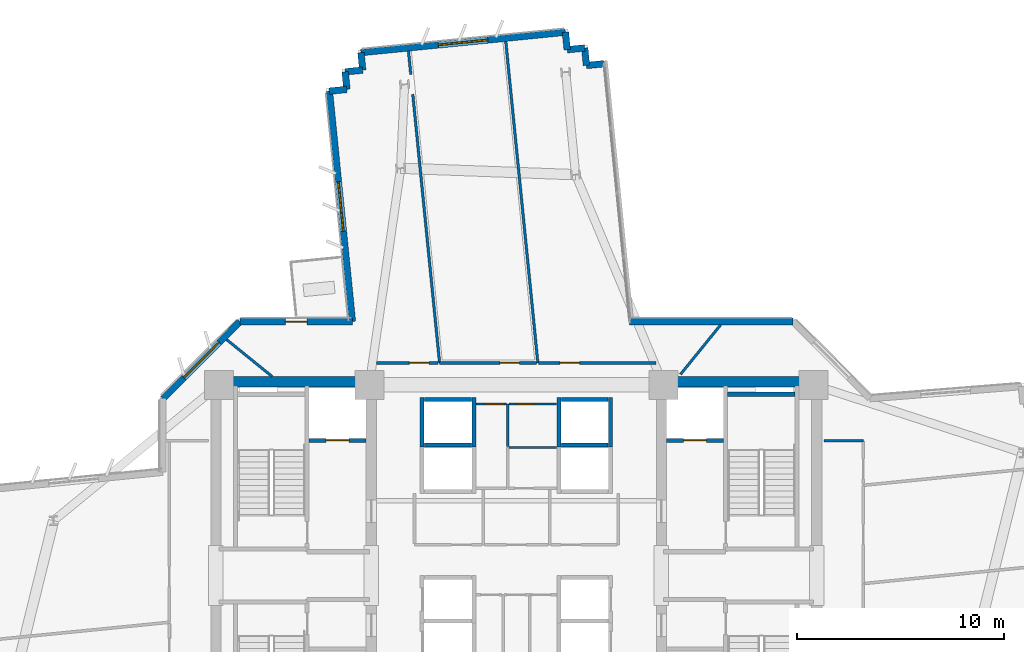
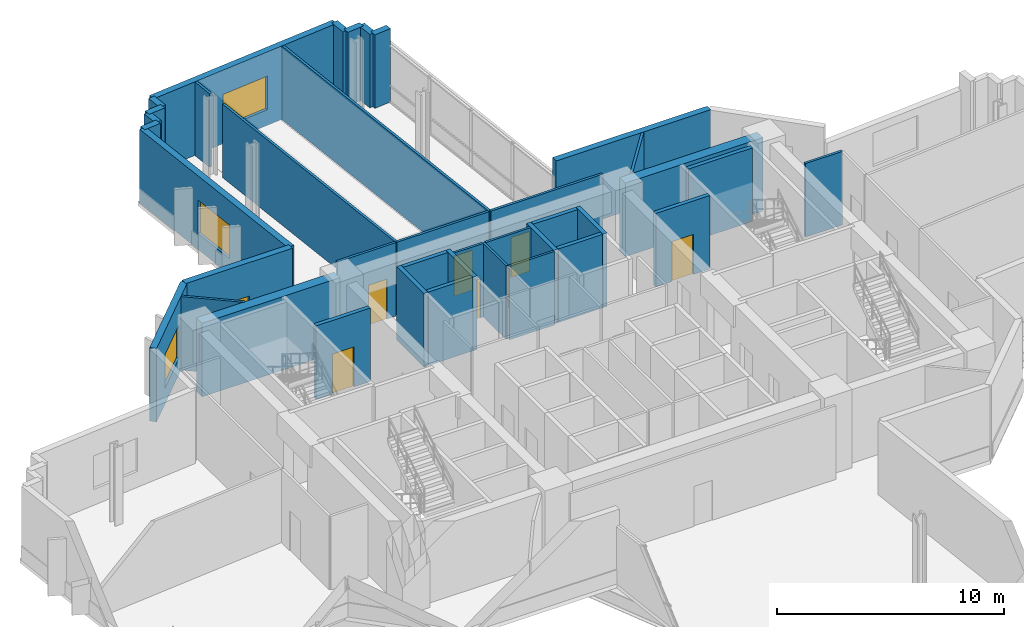
# One storey, part 9 of 14: 39 walls, 8 doors, 3 windows, 11 openings.
"""IFC4 building model written with IfcOpenShell, lengths in metres."""

from ifc_helpers import new_model, si_unit, direction, frame, frame_2d, origin, place, context, subcontext, project, spatial, rectangle, extrude, source, transform, mapped, material, layer, layer_set, type_object, element, fill, save


model = new_model("IFC4")

# Units and contexts
model_context = context("Model", 3, precision=1e-05, world=origin(), true_north=direction((0.0, 1.0)))
body_context = subcontext(model_context, "Body", "Model", "MODEL_VIEW")
ifc_project = project(units=[si_unit("LENGTHUNIT", "METRE"), si_unit("AREAUNIT", "SQUARE_METRE"), si_unit("VOLUMEUNIT", "CUBIC_METRE"), si_unit("PLANEANGLEUNIT", "RADIAN"), si_unit("MASSUNIT", "GRAM", prefix="KILO")], contexts=[model_context])

# Site, building, storey
site_placement = place(None, origin())
site = spatial("IfcSite", under=ifc_project, at=site_placement, CompositionType="ELEMENT")
building_placement = place(site_placement, origin())
building = spatial("IfcBuilding", under=site, at=building_placement, Name="Zahravan Cultural Tower", CompositionType="ELEMENT")
storey_placement = place(building_placement, frame((0.0, 0.0, 96.300048828125)))
storey = spatial("IfcBuildingStorey", under=building, at=storey_placement, Name="L21", CompositionType="ELEMENT", Elevation=96.300048828125)

# Wall, opening, window
ifc_material_1 = material(Name="Precast concrete C40/50", Category="concrete")
ifc_layer_1 = layer(ifc_material_1, 0.320068359375)
ifc_layer_set_1 = layer_set([ifc_layer_1], Name="Precast concrete C40/50")
wall_type_1 = type_object("IfcWallType", Name="EW-TC-320", PredefinedType="SOLIDWALL", material=ifc_layer_set_1)
wall_1_placement = place(storey_placement, frame((18.93994140625, 35.5419921875, 0.0), z_axis=(0.0, 0.0, 1.0), x_axis=(0.707106781187, 0.707106781187, 0.0)))
wall_1 = element("IfcWall", 1, at=wall_1_placement, inside=storey, type_object=wall_type_1, Name="L21 Exterior Masonry Frame Wall 13", PredefinedType="SOLIDWALL", context=body_context, shape_type="SweptSolid", body=[
    extrude(rectangle(XDim=5.258056640625, YDim=0.320068359375, at=frame_2d((2.62890625, 0.0))), origin(), (0.0, 0.0, 1.0), 3.949951171875),
])
opening_1_placement = place(wall_1_placement, frame((1.428955078125, 0.0, 0.85009765625)))
opening_1 = element("IfcOpeningElement", 2, at=opening_1_placement, cuts=wall_1, Name="Opening WN-01", PredefinedType="OPENING", context=body_context, shape_type="SweptSolid", body=[
    extrude(rectangle(XDim=2.39990234375, YDim=1.800048828125, at=frame_2d((1.199951171875, 0.89990234375))), frame((0.0, 0.169921875, 0.0), z_axis=(0.0, -1.0, 0.0), x_axis=(1.0, 0.0, 0.0)), (0.0, 0.0, 1.0), 0.340087890625),
])
ifc_material_2 = material(Name="Low-E solar-control double glazing", Category="glass")
window_type = type_object("IfcWindowType", Name="WN-REC-2400X1800", PartitioningType="DOUBLE_PANEL_VERTICAL", PredefinedType="WINDOW", material=ifc_material_2)
shared_shape_1 = source(origin(), body_context, "Body", "SweptSolid", [
    extrude(rectangle(XDim=2.39990234375, YDim=1.800048828125, at=frame_2d((1.199951171875, 0.89990234375))), frame((0.0, 0.030029296875, 0.0), z_axis=(0.0, -1.0, 0.0), x_axis=(1.0, 0.0, 0.0)), (0.0, 0.0, 1.0), 0.06005859375),
])
window_1_placement = place(opening_1_placement, origin())
window_1 = element("IfcWindow", 3, at=window_1_placement, inside=storey, type_object=window_type, Name="L21 Recessed Solar Window 03", OverallHeight=1.800048828125, OverallWidth=2.39990234375, PartitioningType="DOUBLE_PANEL_VERTICAL", PredefinedType="WINDOW", context=body_context, shape_type="MappedRepresentation", body=[
    mapped(shared_shape_1, transform((0.0, 0.0, 0.0), x_axis=(1.0, 0.0, 0.0), y_axis=(0.0, 1.0, 0.0), z_axis=(0.0, 0.0, 1.0), scale=1.0)),
])
fill(opening_1, window_1)

# Wall, opening, door
wall_2_placement = place(storey_placement, frame((22.657958984375, 39.260009765625, 0.0), z_axis=(0.0, 0.0, 1.0), x_axis=(1.0, 0.0, 0.0)))
wall_2 = element("IfcWall", 4, at=wall_2_placement, inside=storey, type_object=wall_type_1, Name="L21 Exterior Masonry Frame Wall 14", PredefinedType="SOLIDWALL", context=body_context, shape_type="SweptSolid", body=[
    extrude(rectangle(XDim=5.42529296875, YDim=0.320068359375, at=frame_2d((2.712646484375, 0.0))), origin(), (0.0, 0.0, 1.0), 3.949951171875),
])
opening_2_placement = place(wall_2_placement, frame((2.18798828125, 0.0, 0.0)))
opening_2 = element("IfcOpeningElement", 5, at=opening_2_placement, cuts=wall_2, Name="Opening D-L21-TR-NW", PredefinedType="OPENING", context=body_context, shape_type="SweptSolid", body=[
    extrude(rectangle(XDim=1.050048828125, YDim=2.14990234375, at=frame_2d((0.52490234375, 1.074951171875))), frame((0.0, 0.169921875, 0.0), z_axis=(0.0, -1.0, 0.0), x_axis=(1.0, 0.0, 0.0)), (0.0, 0.0, 1.0), 0.340087890625),
])
ifc_material_3 = material(Name="Anodised bronze-aluminium mullion", Category="aluminium")
door_type_1 = type_object("IfcDoorType", Name="DR-TERR-1050", OperationType="NOTDEFINED", PredefinedType="DOOR", material=ifc_material_3)
shared_shape_2 = source(origin(), body_context, "Body", "SweptSolid", [
    extrude(rectangle(XDim=1.050048828125, YDim=2.14990234375, at=frame_2d((0.52490234375, 1.074951171875))), frame((0.0, 0.02490234375, 0.0), z_axis=(0.0, -1.0, 0.0), x_axis=(1.0, 0.0, 0.0)), (0.0, 0.0, 1.0), 0.050048828125),
])
door_1_placement = place(opening_2_placement, origin())
door_1 = element("IfcDoor", 6, at=door_1_placement, inside=storey, type_object=door_type_1, Name="L21 Terrace Access Door NW", OperationType="SINGLE_SWING_RIGHT", OverallHeight=2.14990234375, OverallWidth=1.050048828125, PredefinedType="DOOR", context=body_context, shape_type="MappedRepresentation", body=[
    mapped(shared_shape_2, transform((0.0, 0.0, 0.0), x_axis=(1.0, 0.0, 0.0), y_axis=(0.0, 1.0, 0.0), z_axis=(0.0, 0.0, 1.0), scale=1.0)),
])
fill(opening_2, door_1)

# Wall, opening, window
wall_3_placement = place(storey_placement, frame((28.083251953125, 39.260009765625, 0.0), z_axis=(0.0, 0.0, 1.0), x_axis=(-0.099322009391, 0.995055344416, 0.0)))
wall_3 = element("IfcWall", 7, at=wall_3_placement, inside=storey, type_object=wall_type_1, Name="L21 Exterior Masonry Frame Wall 15", PredefinedType="SOLIDWALL", context=body_context, shape_type="SweptSolid", body=[
    extrude(rectangle(XDim=11.17431640625, YDim=0.320068359375, at=frame_2d((5.587158203125, 0.0))), origin(), (0.0, 0.0, 1.0), 3.949951171875),
])
opening_3_placement = place(wall_3_placement, frame((4.386962890625, 0.0, 0.85009765625)))
opening_3 = element("IfcOpeningElement", 8, at=opening_3_placement, cuts=wall_3, Name="Opening WN-01", PredefinedType="OPENING", context=body_context, shape_type="SweptSolid", body=[
    extrude(rectangle(XDim=2.39990234375, YDim=1.800048828125, at=frame_2d((1.199951171875, 0.89990234375))), frame((0.0, 0.169921875, 0.0), z_axis=(0.0, -1.0, 0.0), x_axis=(1.0, 0.0, 0.0)), (0.0, 0.0, 1.0), 0.340087890625),
])
window_2_placement = place(opening_3_placement, origin())
window_2 = element("IfcWindow", 9, at=window_2_placement, inside=storey, type_object=window_type, Name="L21 Recessed Solar Window 04", OverallHeight=1.800048828125, OverallWidth=2.39990234375, PartitioningType="DOUBLE_PANEL_VERTICAL", PredefinedType="WINDOW", context=body_context, shape_type="MappedRepresentation", body=[
    mapped(shared_shape_1, transform((0.0, 0.0, 0.0), x_axis=(1.0, 0.0, 0.0), y_axis=(0.0, 1.0, 0.0), z_axis=(0.0, 0.0, 1.0), scale=1.0)),
])
fill(opening_3, window_2)

wall_4_placement = place(storey_placement, frame((28.49609375, 52.239501953125, 0.0), z_axis=(0.0, 0.0, 1.0), x_axis=(0.995054718915, 0.09932827576, 0.0)))
wall_4 = element("IfcWall", 10, at=wall_4_placement, inside=storey, type_object=wall_type_1, Name="L21 Exterior Masonry Frame Wall 20", PredefinedType="SOLIDWALL", context=body_context, shape_type="SweptSolid", body=[
    extrude(rectangle(XDim=9.920166015625, YDim=0.320068359375, at=frame_2d((4.9599609375, 0.0))), origin(), (0.0, 0.0, 1.0), 3.949951171875),
])
opening_4_placement = place(wall_4_placement, frame((3.760009765625, 0.0, 0.85009765625)))
opening_4 = element("IfcOpeningElement", 11, at=opening_4_placement, cuts=wall_4, Name="Opening WN-01", PredefinedType="OPENING", context=body_context, shape_type="SweptSolid", body=[
    extrude(rectangle(XDim=2.39990234375, YDim=1.800048828125, at=frame_2d((1.199951171875, 0.89990234375))), frame((0.0, 0.169921875, 0.0), z_axis=(0.0, -1.0, 0.0), x_axis=(1.0, 0.0, 0.0)), (0.0, 0.0, 1.0), 0.340087890625),
])
window_3_placement = place(opening_4_placement, origin())
window_3 = element("IfcWindow", 12, at=window_3_placement, inside=storey, type_object=window_type, Name="L21 Recessed Solar Window 05", OverallHeight=1.800048828125, OverallWidth=2.39990234375, PartitioningType="DOUBLE_PANEL_VERTICAL", PredefinedType="WINDOW", context=body_context, shape_type="MappedRepresentation", body=[
    mapped(shared_shape_1, transform((0.0, 0.0, 0.0), x_axis=(1.0, 0.0, 0.0), y_axis=(0.0, 1.0, 0.0), z_axis=(0.0, 0.0, 1.0), scale=1.0)),
])
fill(opening_4, window_3)

# Wall, opening, door
ifc_material_4 = material(Name="Gypsum plasterboard partition")
ifc_layer_2 = layer(ifc_material_4, 0.125)
ifc_layer_set_2 = layer_set([ifc_layer_2], Name="Gypsum plasterboard partition")
wall_type_2 = type_object("IfcWallType", Name="W-PART-125", PredefinedType="PARTITIONING", material=ifc_layer_set_2)
wall_5_placement = place(storey_placement, frame((36.96826171875, 37.260009765625, 0.0), z_axis=(0.0, 0.0, 1.0), x_axis=(-1.0, 0.0, 0.0)))
wall_5 = element("IfcWall", 13, at=wall_5_placement, inside=storey, type_object=wall_type_2, Name="L21 Interior Wall 101", PredefinedType="PARTITIONING", context=body_context, shape_type="SweptSolid", body=[
    extrude(rectangle(XDim=4.675537109375, YDim=0.125, at=frame_2d((2.337890625, 0.0))), origin(), (0.0, 0.0, 1.0), 3.949951171875),
])
opening_5_placement = place(wall_5_placement, frame((0.819580078125, 0.0, 0.0)))
opening_5 = element("IfcOpeningElement", 14, at=opening_5_placement, cuts=wall_5, Name="Opening D-L21-25", PredefinedType="OPENING", context=body_context, shape_type="SweptSolid", body=[
    extrude(rectangle(XDim=0.949951171875, YDim=2.14990234375, at=frame_2d((0.47509765625, 1.074951171875))), frame((0.0, 0.072509765625, 0.0), z_axis=(0.0, -1.0, 0.0), x_axis=(1.0, 0.0, 0.0)), (0.0, 0.0, 1.0), 0.14501953125),
])
door_type_2 = type_object("IfcDoorType", Name="DR-ROOM-950", OperationType="NOTDEFINED", PredefinedType="DOOR", material=ifc_material_3)
shared_shape_3 = source(origin(), body_context, "Body", "SweptSolid", [
    extrude(rectangle(XDim=0.949951171875, YDim=2.14990234375, at=frame_2d((0.47509765625, 1.074951171875))), frame((0.0, 0.02490234375, 0.0), z_axis=(0.0, -1.0, 0.0), x_axis=(1.0, 0.0, 0.0)), (0.0, 0.0, 1.0), 0.050048828125),
])
door_2_placement = place(opening_5_placement, origin())
door_2 = element("IfcDoor", 15, at=door_2_placement, inside=storey, type_object=door_type_2, Name="L21 Door D-L21-25", OperationType="SINGLE_SWING_RIGHT", OverallHeight=2.14990234375, OverallWidth=0.949951171875, PredefinedType="DOOR", context=body_context, shape_type="MappedRepresentation", body=[
    mapped(shared_shape_3, transform((0.0, 0.0, 0.0), x_axis=(1.0, 0.0, 0.0), y_axis=(0.0, 1.0, 0.0), z_axis=(0.0, 0.0, 1.0), scale=1.0)),
])
fill(opening_5, door_2)

wall_6_placement = place(storey_placement, frame((32.224853515625, 37.260009765625, 0.0), z_axis=(0.0, 0.0, 1.0), x_axis=(-0.999999915533, -0.000411015173, 0.0)))
wall_6 = element("IfcWall", 16, at=wall_6_placement, inside=storey, type_object=wall_type_2, Name="L21 Interior Wall 104", PredefinedType="PARTITIONING", context=body_context, shape_type="SweptSolid", body=[
    extrude(rectangle(XDim=2.969970703125, YDim=0.125, at=frame_2d((1.48486328125, 0.0))), origin(), (0.0, 0.0, 1.0), 3.949951171875),
])
opening_6_placement = place(wall_6_placement, frame((0.4443359375, 0.0, 0.0)))
opening_6 = element("IfcOpeningElement", 17, at=opening_6_placement, cuts=wall_6, Name="Opening D-L21-26", PredefinedType="OPENING", context=body_context, shape_type="SweptSolid", body=[
    extrude(rectangle(XDim=0.949951171875, YDim=2.14990234375, at=frame_2d((0.47509765625, 1.074951171875))), frame((0.0, 0.072509765625, 0.0), z_axis=(0.0, -1.0, 0.0), x_axis=(1.0, 0.0, 0.0)), (0.0, 0.0, 1.0), 0.14501953125),
])
door_3_placement = place(opening_6_placement, origin())
door_3 = element("IfcDoor", 18, at=door_3_placement, inside=storey, type_object=door_type_2, Name="L21 Door D-L21-26", OperationType="SINGLE_SWING_LEFT", OverallHeight=2.14990234375, OverallWidth=0.949951171875, PredefinedType="DOOR", context=body_context, shape_type="MappedRepresentation", body=[
    mapped(shared_shape_3, transform((0.0, 0.0, 0.0), x_axis=(1.0, 0.0, 0.0), y_axis=(0.0, 1.0, 0.0), z_axis=(0.0, 0.0, 1.0), scale=1.0)),
])
fill(opening_6, door_3)

wall_7_placement = place(storey_placement, frame((42.742431640625, 37.259765625, 0.0), z_axis=(0.0, 0.0, 1.0), x_axis=(-0.999999999078, 4.2935039e-05, 0.0)))
wall_7 = element("IfcWall", 19, at=wall_7_placement, inside=storey, type_object=wall_type_2, Name="L21 Interior Wall 110", PredefinedType="PARTITIONING", context=body_context, shape_type="SweptSolid", body=[
    extrude(rectangle(XDim=5.686279296875, YDim=0.125, at=frame_2d((2.84326171875, 0.0))), origin(), (0.0, 0.0, 1.0), 3.949951171875),
])
opening_7_placement = place(wall_7_placement, frame((3.694091796875, 0.0, 0.0)))
opening_7 = element("IfcOpeningElement", 20, at=opening_7_placement, cuts=wall_7, Name="Opening D-L21-24", PredefinedType="OPENING", context=body_context, shape_type="SweptSolid", body=[
    extrude(rectangle(XDim=0.949951171875, YDim=2.14990234375, at=frame_2d((0.47509765625, 1.074951171875))), frame((0.0, 0.072509765625, 0.0), z_axis=(0.0, -1.0, 0.0), x_axis=(1.0, 0.0, 0.0)), (0.0, 0.0, 1.0), 0.14501953125),
])
door_4_placement = place(opening_7_placement, origin())
door_4 = element("IfcDoor", 21, at=door_4_placement, inside=storey, type_object=door_type_2, Name="L21 Door D-L21-24", OperationType="SINGLE_SWING_LEFT", OverallHeight=2.14990234375, OverallWidth=0.949951171875, PredefinedType="DOOR", context=body_context, shape_type="MappedRepresentation", body=[
    mapped(shared_shape_3, transform((0.0, 0.0, 0.0), x_axis=(1.0, 0.0, 0.0), y_axis=(0.0, 1.0, 0.0), z_axis=(0.0, 0.0, 1.0), scale=1.0)),
])
fill(opening_7, door_4)

ifc_material_5 = material(Name="Concrete C45/55", Category="concrete")
ifc_layer_3 = layer(ifc_material_5, 0.199951171875)
ifc_layer_set_3 = layer_set([ifc_layer_3], Name="Concrete C45/55")
wall_type_3 = type_object("IfcWallType", Name="W-SHAFT-200", PredefinedType="SOLIDWALL", material=ifc_layer_set_3)
wall_8_placement = place(storey_placement, frame((26.0, 33.52001953125, 0.0), z_axis=(0.0, 0.0, 1.0), x_axis=(1.0, 0.0, 0.0)))
wall_8 = element("IfcWall", 22, at=wall_8_placement, inside=storey, type_object=wall_type_3, Name="L21 Interior Wall 021", PredefinedType="SOLIDWALL", context=body_context, shape_type="SweptSolid", body=[
    extrude(rectangle(XDim=2.75, YDim=0.199951171875, at=frame_2d((1.375, 0.0))), origin(), (0.0, 0.0, 1.0), 3.949951171875),
])
opening_8_placement = place(wall_8_placement, frame((0.820068359375, 0.0, 0.0)))
opening_8 = element("IfcOpeningElement", 23, at=opening_8_placement, cuts=wall_8, Name="Opening LD-L21-01", PredefinedType="OPENING", context=body_context, shape_type="SweptSolid", body=[
    extrude(rectangle(XDim=1.10009765625, YDim=2.14990234375, at=frame_2d((0.550048828125, 1.074951171875))), frame((0.0, 0.10986328125, 0.0), z_axis=(0.0, -1.0, 0.0), x_axis=(1.0, 0.0, 0.0)), (0.0, 0.0, 1.0), 0.219970703125),
])
ifc_material_6 = material(Name="Steel ASTM A572 Grade 50", Category="steel")
door_type_3 = type_object("IfcDoorType", Name="DR-LIFT-1100", OperationType="DOUBLE_DOOR_SLIDING", PredefinedType="DOOR", material=ifc_material_6)
shared_shape_4 = source(origin(), body_context, "Body", "SweptSolid", [
    extrude(rectangle(XDim=1.10009765625, YDim=2.14990234375, at=frame_2d((0.550048828125, 1.074951171875))), frame((0.0, 0.02490234375, 0.0), z_axis=(0.0, -1.0, 0.0), x_axis=(1.0, 0.0, 0.0)), (0.0, 0.0, 1.0), 0.050048828125),
])
door_5_placement = place(opening_8_placement, origin())
door_5 = element("IfcDoor", 24, at=door_5_placement, inside=storey, type_object=door_type_3, Name="L21 Door LD-L21-01", OperationType="DOUBLE_DOOR_SLIDING", OverallHeight=2.14990234375, OverallWidth=1.10009765625, PredefinedType="DOOR", context=body_context, shape_type="MappedRepresentation", body=[
    mapped(shared_shape_4, transform((0.0, 0.0, 0.0), x_axis=(1.0, 0.0, 0.0), y_axis=(0.0, 1.0, 0.0), z_axis=(0.0, 0.0, 1.0), scale=1.0)),
])
fill(opening_8, door_5)

wall_9_placement = place(storey_placement, frame((43.25, 33.52001953125, 0.0), z_axis=(0.0, 0.0, 1.0), x_axis=(1.0, 0.0, 0.0)))
wall_9 = element("IfcWall", 25, at=wall_9_placement, inside=storey, type_object=wall_type_3, Name="L21 Interior Wall 022", PredefinedType="SOLIDWALL", context=body_context, shape_type="SweptSolid", body=[
    extrude(rectangle(XDim=2.75, YDim=0.199951171875, at=frame_2d((1.375, 0.0))), origin(), (0.0, 0.0, 1.0), 3.949951171875),
])
opening_9_placement = place(wall_9_placement, frame((0.820068359375, 0.0, 0.0)))
opening_9 = element("IfcOpeningElement", 26, at=opening_9_placement, cuts=wall_9, Name="Opening LD-L21-02", PredefinedType="OPENING", context=body_context, shape_type="SweptSolid", body=[
    extrude(rectangle(XDim=1.10009765625, YDim=2.14990234375, at=frame_2d((0.550048828125, 1.074951171875))), frame((0.0, 0.10986328125, 0.0), z_axis=(0.0, -1.0, 0.0), x_axis=(1.0, 0.0, 0.0)), (0.0, 0.0, 1.0), 0.219970703125),
])
door_6_placement = place(opening_9_placement, origin())
door_6 = element("IfcDoor", 27, at=door_6_placement, inside=storey, type_object=door_type_3, Name="L21 Door LD-L21-02", OperationType="DOUBLE_DOOR_SLIDING", OverallHeight=2.14990234375, OverallWidth=1.10009765625, PredefinedType="DOOR", context=body_context, shape_type="MappedRepresentation", body=[
    mapped(shared_shape_4, transform((0.0, 0.0, 0.0), x_axis=(1.0, 0.0, 0.0), y_axis=(0.0, 1.0, 0.0), z_axis=(0.0, 0.0, 1.0), scale=1.0)),
])
fill(opening_9, door_6)

ifc_layer_4 = layer(ifc_material_4, 0.114990234375)
ifc_layer_set_4 = layer_set([ifc_layer_4], Name="Gypsum plasterboard partition")
wall_type_4 = type_object("IfcWallType", Name="W-WC-115", PredefinedType="PARTITIONING", material=ifc_layer_set_4)
wall_10_placement = place(storey_placement, frame((35.652587890625, 35.280029296875, 0.0), z_axis=(0.0, 0.0, 1.0), x_axis=(1.0, 0.0, 0.0)))
wall_10 = element("IfcWall", 28, at=wall_10_placement, inside=storey, type_object=wall_type_4, Name="L21 Interior Wall 073", PredefinedType="PARTITIONING", context=body_context, shape_type="SweptSolid", body=[
    extrude(rectangle(XDim=2.29248046875, YDim=0.114990234375, at=frame_2d((1.146240234375, 0.0))), origin(), (0.0, 0.0, 1.0), 3.949951171875),
])
opening_10_placement = place(wall_10_placement, frame((0.3203125, 0.0, 0.0)))
opening_10 = element("IfcOpeningElement", 29, at=opening_10_placement, cuts=wall_10, Name="Opening D-L21-14", PredefinedType="OPENING", context=body_context, shape_type="SweptSolid", body=[
    extrude(rectangle(XDim=0.89990234375, YDim=2.10009765625, at=frame_2d((0.449951171875, 1.050048828125))), frame((0.0, 0.0673828125, 0.0), z_axis=(0.0, -1.0, 0.0), x_axis=(1.0, 0.0, 0.0)), (0.0, 0.0, 1.0), 0.135009765625),
])
door_type_4 = type_object("IfcDoorType", Name="DR-WC-900", OperationType="NOTDEFINED", PredefinedType="DOOR", material=ifc_material_3)
shared_shape_5 = source(origin(), body_context, "Body", "SweptSolid", [
    extrude(rectangle(XDim=0.89990234375, YDim=2.10009765625, at=frame_2d((0.449951171875, 1.050048828125))), frame((0.0, 0.02490234375, 0.0), z_axis=(0.0, -1.0, 0.0), x_axis=(1.0, 0.0, 0.0)), (0.0, 0.0, 1.0), 0.050048828125),
])
door_7_placement = place(opening_10_placement, origin())
door_7 = element("IfcDoor", 30, at=door_7_placement, inside=storey, type_object=door_type_4, Name="L21 Door D-L21-14", OperationType="SINGLE_SWING_LEFT", OverallHeight=2.10009765625, OverallWidth=0.89990234375, PredefinedType="DOOR", context=body_context, shape_type="MappedRepresentation", body=[
    mapped(shared_shape_5, transform((0.0, 0.0, 0.0), x_axis=(1.0, 0.0, 0.0), y_axis=(0.0, 1.0, 0.0), z_axis=(0.0, 0.0, 1.0), scale=1.0)),
])
fill(opening_10, door_7)

wall_11_placement = place(storey_placement, frame((34.054931640625, 35.280029296875, 0.0), z_axis=(0.0, 0.0, 1.0), x_axis=(1.0, 0.0, 0.0)))
wall_11 = element("IfcWall", 31, at=wall_11_placement, inside=storey, type_object=wall_type_4, Name="L21 Interior Wall 075", PredefinedType="PARTITIONING", context=body_context, shape_type="SweptSolid", body=[
    extrude(rectangle(XDim=1.47265625, YDim=0.114990234375, at=frame_2d((0.736328125, 0.0))), origin(), (0.0, 0.0, 1.0), 3.949951171875),
])
opening_11_placement = place(wall_11_placement, frame((0.4326171875, 0.0, 0.0)))
opening_11 = element("IfcOpeningElement", 32, at=opening_11_placement, cuts=wall_11, Name="Opening D-L21-13", PredefinedType="OPENING", context=body_context, shape_type="SweptSolid", body=[
    extrude(rectangle(XDim=0.89990234375, YDim=2.10009765625, at=frame_2d((0.449951171875, 1.050048828125))), frame((0.0, 0.0673828125, 0.0), z_axis=(0.0, -1.0, 0.0), x_axis=(1.0, 0.0, 0.0)), (0.0, 0.0, 1.0), 0.135009765625),
])
door_8_placement = place(opening_11_placement, origin())
door_8 = element("IfcDoor", 33, at=door_8_placement, inside=storey, type_object=door_type_4, Name="L21 Door D-L21-13", OperationType="SINGLE_SWING_RIGHT", OverallHeight=2.10009765625, OverallWidth=0.89990234375, PredefinedType="DOOR", context=body_context, shape_type="MappedRepresentation", body=[
    mapped(shared_shape_5, transform((0.0, 0.0, 0.0), x_axis=(1.0, 0.0, 0.0), y_axis=(0.0, 1.0, 0.0), z_axis=(0.0, 0.0, 1.0), scale=1.0)),
])
fill(opening_11, door_8)

# Walls
ifc_material_7 = material(Name="Concrete C60/75", Category="concrete")
ifc_layer_5 = layer(ifc_material_7, 0.5)
ifc_layer_set_5 = layer_set([ifc_layer_5], Name="Concrete C60/75")
wall_type_5 = type_object("IfcWallType", Name="CW-SHEAR-500-C60", PredefinedType="SHEAR", material=ifc_layer_set_5)
shared_shape_6 = source(origin(), body_context, "Body", "SweptSolid", [
    extrude(rectangle(XDim=7.0, YDim=0.5, at=frame_2d((3.5, 0.0))), origin(), (0.0, 0.0, 1.0), 3.949951171875),
])
for number, where, z_axis, x_axis, name in (
    (34, (21.75, 36.35009765625, 0.0), (0.0, 0.0, 1.0), (1.0, 0.0, 0.0), "L21 Core Shear Wall CW-W-N-L21"),
    (35, (43.25, 36.35009765625, 0.0), (0.0, 0.0, 1.0), (1.0, 0.0, 0.0), "L21 Core Shear Wall CW-E-N-L21"),
):
    element("IfcWall", number, at=place(storey_placement, frame(where, z_axis=z_axis, x_axis=x_axis)), inside=storey, type_object=wall_type_5, Name=name, PredefinedType="SHEAR", context=body_context, shape_type="MappedRepresentation", body=[
        mapped(shared_shape_6, transform((0.0, 0.0, 0.0), x_axis=(1.0, 0.0, 0.0), y_axis=(0.0, 1.0, 0.0), z_axis=(0.0, 0.0, 1.0), scale=1.0)),
    ])
shared_shape_7 = source(origin(), body_context, "Body", "SweptSolid", [
    extrude(rectangle(XDim=0.849853515625, YDim=0.320068359375, at=frame_2d((0.4248046875, 0.0))), origin(), (0.0, 0.0, 1.0), 3.949951171875),
])
for number, where, z_axis, x_axis, name in (
    (36, (26.973388671875, 50.379150390625, 0.0), (0.0, 0.0, 1.0), (0.995076929088, 0.099105525559, 0.0), "L21 Exterior Masonry Frame Wall 16"),
    (37, (28.58056640625, 51.393798828125, 0.0), (0.0, 0.0, 1.0), (-0.09938995433, 0.995048560111, 0.0), "L21 Exterior Masonry Frame Wall 19"),
    (38, (39.29736328125, 52.46337890625, 0.0), (0.0, 0.0, 1.0), (0.099105525559, -0.995076929088, 0.0), "L21 Exterior Masonry Frame Wall 23"),
):
    element("IfcWall", number, at=place(storey_placement, frame(where, z_axis=z_axis, x_axis=x_axis)), inside=storey, type_object=wall_type_1, Name=name, PredefinedType="SOLIDWALL", context=body_context, shape_type="MappedRepresentation", body=[
        mapped(shared_shape_7, transform((0.0, 0.0, 0.0), x_axis=(1.0, 0.0, 0.0), y_axis=(0.0, 1.0, 0.0), z_axis=(0.0, 0.0, 1.0), scale=1.0)),
    ])
shared_shape_8 = source(origin(), body_context, "Body", "SweptSolid", [
    extrude(rectangle(XDim=0.85009765625, YDim=0.320068359375, at=frame_2d((0.425048828125, 0.0))), origin(), (0.0, 0.0, 1.0), 3.949951171875),
])
for number, where, z_axis, x_axis, name in (
    (39, (27.819091796875, 50.46337890625, 0.0), (0.0, 0.0, 1.0), (-0.099361553589, 0.995051396496, 0.0), "L21 Exterior Masonry Frame Wall 17"),
    (40, (27.734619140625, 51.309326171875, 0.0), (0.0, 0.0, 1.0), (0.995051396496, 0.099361553589, 0.0), "L21 Exterior Masonry Frame Wall 18"),
    (41, (38.3671875, 53.224853515625, 0.0), (0.0, 0.0, 1.0), (0.09907720448, -0.995079749343, 0.0), "L21 Exterior Masonry Frame Wall 21"),
    (42, (38.451416015625, 52.37890625, 0.0), (0.0, 0.0, 1.0), (0.995051396496, 0.099361553589, 0.0), "L21 Exterior Masonry Frame Wall 22"),
    (43, (39.381591796875, 51.61767578125, 0.0), (0.0, 0.0, 1.0), (0.995079749343, 0.09907720448, 0.0), "L21 Exterior Masonry Frame Wall 24"),
):
    element("IfcWall", number, at=place(storey_placement, frame(where, z_axis=z_axis, x_axis=x_axis)), inside=storey, type_object=wall_type_1, Name=name, PredefinedType="SOLIDWALL", context=body_context, shape_type="MappedRepresentation", body=[
        mapped(shared_shape_8, transform((0.0, 0.0, 0.0), x_axis=(1.0, 0.0, 0.0), y_axis=(0.0, 1.0, 0.0), z_axis=(0.0, 0.0, 1.0), scale=1.0)),
    ])
shared_shape_9 = source(origin(), body_context, "Body", "SweptSolid", [
    extrude(rectangle(XDim=7.87255859375, YDim=0.320068359375, at=frame_2d((3.936279296875, 0.0))), origin(), (0.0, 0.0, 1.0), 3.949951171875),
])
wall_12_placement = place(storey_placement, frame((41.469482421875, 39.260009765625, 0.0), z_axis=(0.0, 0.0, 1.0), x_axis=(1.0, 0.0, 0.0)))
element("IfcWall", 44, at=wall_12_placement, inside=storey, type_object=wall_type_1, Name="L21 Exterior Masonry Frame Wall 25", PredefinedType="SOLIDWALL", context=body_context, shape_type="MappedRepresentation", body=[
    mapped(shared_shape_9, transform((0.0, 0.0, 0.0), x_axis=(1.0, 0.0, 0.0), y_axis=(0.0, 1.0, 0.0), z_axis=(0.0, 0.0, 1.0), scale=1.0)),
])
shared_shape_10 = source(origin(), body_context, "Body", "SweptSolid", [
    extrude(rectangle(XDim=3.25, YDim=0.199951171875, at=frame_2d((1.625, 0.0))), origin(), (0.0, 0.0, 1.0), 3.949951171875),
])
wall_13_placement = place(storey_placement, frame((46.199951171875, 35.75, 0.0), z_axis=(0.0, 0.0, 1.0), x_axis=(1.0, 0.0, 0.0)))
element("IfcWall", 45, at=wall_13_placement, inside=storey, type_object=wall_type_3, Name="L21 Interior Wall 018", PredefinedType="SOLIDWALL", context=body_context, shape_type="MappedRepresentation", body=[
    mapped(shared_shape_10, transform((0.0, 0.0, 0.0), x_axis=(1.0, 0.0, 0.0), y_axis=(0.0, 1.0, 0.0), z_axis=(0.0, 0.0, 1.0), scale=1.0)),
])
shared_shape_11 = source(origin(), body_context, "Body", "SweptSolid", [
    extrude(rectangle(XDim=2.400146484375, YDim=0.199951171875, at=frame_2d((1.2001953125, 0.0))), origin(), (0.0, 0.0, 1.0), 3.949951171875),
])
for number, where, z_axis, x_axis, name in (
    (46, (31.449951171875, 33.199951171875, 0.0), (0.0, 0.0, 1.0), (0.0, 1.0, 0.0), "L21 Interior Wall 029"),
    (47, (33.949951171875, 33.199951171875, 0.0), (0.0, 0.0, 1.0), (0.0, 1.0, 0.0), "L21 Interior Wall 030"),
    (48, (38.050048828125, 33.199951171875, 0.0), (0.0, 0.0, 1.0), (0.0, 1.0, 0.0), "L21 Interior Wall 036"),
    (49, (40.550048828125, 33.199951171875, 0.0), (0.0, 0.0, 1.0), (0.0, 1.0, 0.0), "L21 Interior Wall 037"),
):
    element("IfcWall", number, at=place(storey_placement, frame(where, z_axis=z_axis, x_axis=x_axis)), inside=storey, type_object=wall_type_3, Name=name, PredefinedType="SOLIDWALL", context=body_context, shape_type="MappedRepresentation", body=[
        mapped(shared_shape_11, transform((0.0, 0.0, 0.0), x_axis=(1.0, 0.0, 0.0), y_axis=(0.0, 1.0, 0.0), z_axis=(0.0, 0.0, 1.0), scale=1.0)),
    ])
shared_shape_12 = source(origin(), body_context, "Body", "SweptSolid", [
    extrude(rectangle(XDim=2.260009765625, YDim=0.199951171875, at=frame_2d((1.1298828125, 0.0))), origin(), (0.0, 0.0, 1.0), 3.949951171875),
])
for number, where, z_axis, x_axis, name in (
    (50, (31.570068359375, 33.300048828125, 0.0), (0.0, 0.0, 1.0), (1.0, 0.0, 0.0), "L21 Interior Wall 031"),
    (51, (31.570068359375, 35.5, 0.0), (0.0, 0.0, 1.0), (1.0, 0.0, 0.0), "L21 Interior Wall 032"),
    (52, (38.169921875, 33.300048828125, 0.0), (0.0, 0.0, 1.0), (1.0, 0.0, 0.0), "L21 Interior Wall 038"),
    (53, (38.169921875, 35.5, 0.0), (0.0, 0.0, 1.0), (1.0, 0.0, 0.0), "L21 Interior Wall 039"),
):
    element("IfcWall", number, at=place(storey_placement, frame(where, z_axis=z_axis, x_axis=x_axis)), inside=storey, type_object=wall_type_3, Name=name, PredefinedType="SOLIDWALL", context=body_context, shape_type="MappedRepresentation", body=[
        mapped(shared_shape_12, transform((0.0, 0.0, 0.0), x_axis=(1.0, 0.0, 0.0), y_axis=(0.0, 1.0, 0.0), z_axis=(0.0, 0.0, 1.0), scale=1.0)),
    ])
shared_shape_13 = source(origin(), body_context, "Body", "SweptSolid", [
    extrude(rectangle(XDim=2.0400390625, YDim=0.114990234375, at=frame_2d((1.02001953125, 0.0))), origin(), (0.0, 0.0, 1.0), 3.949951171875),
])
wall_14_placement = place(storey_placement, frame((35.590087890625, 33.239990234375, 0.0), z_axis=(0.0, 0.0, 1.0), x_axis=(0.0, 1.0, 0.0)))
element("IfcWall", 54, at=wall_14_placement, inside=storey, type_object=wall_type_4, Name="L21 Interior Wall 072", PredefinedType="PARTITIONING", context=body_context, shape_type="MappedRepresentation", body=[
    mapped(shared_shape_13, transform((0.0, 0.0, 0.0), x_axis=(1.0, 0.0, 0.0), y_axis=(0.0, 1.0, 0.0), z_axis=(0.0, 0.0, 1.0), scale=1.0)),
])
shared_shape_14 = source(origin(), body_context, "Body", "SweptSolid", [
    extrude(rectangle(XDim=2.29248046875, YDim=0.114990234375, at=frame_2d((1.146240234375, 0.0))), origin(), (0.0, 0.0, 1.0), 3.949951171875),
])
wall_15_placement = place(storey_placement, frame((35.652587890625, 33.179931640625, 0.0), z_axis=(0.0, 0.0, 1.0), x_axis=(1.0, 0.0, 0.0)))
element("IfcWall", 55, at=wall_15_placement, inside=storey, type_object=wall_type_4, Name="L21 Interior Wall 071", PredefinedType="PARTITIONING", context=body_context, shape_type="MappedRepresentation", body=[
    mapped(shared_shape_14, transform((0.0, 0.0, 0.0), x_axis=(1.0, 0.0, 0.0), y_axis=(0.0, 1.0, 0.0), z_axis=(0.0, 0.0, 1.0), scale=1.0)),
])
shared_shape_15 = source(origin(), body_context, "Body", "SweptSolid", [
    extrude(rectangle(XDim=3.072021484375, YDim=0.125, at=frame_2d((1.5361328125, 0.0))), origin(), (0.0, 0.0, 1.0), 3.949951171875),
])
wall_16_placement = place(storey_placement, frame((43.919921875, 36.708740234375, 0.0), z_axis=(0.0, 0.0, 1.0), x_axis=(0.629760486176, 0.776789373029, 0.0)))
element("IfcWall", 56, at=wall_16_placement, inside=storey, type_object=wall_type_2, Name="L21 Interior Wall 094", PredefinedType="PARTITIONING", context=body_context, shape_type="MappedRepresentation", body=[
    mapped(shared_shape_15, transform((0.0, 0.0, 0.0), x_axis=(1.0, 0.0, 0.0), y_axis=(0.0, 1.0, 0.0), z_axis=(0.0, 0.0, 1.0), scale=1.0)),
])
shared_shape_16 = source(origin(), body_context, "Body", "SweptSolid", [
    extrude(rectangle(XDim=1.891357421875, YDim=0.125, at=frame_2d((0.94580078125, 0.0))), origin(), (0.0, 0.0, 1.0), 3.949951171875),
])
wall_17_placement = place(storey_placement, frame((52.7490234375, 33.4990234375, 0.0), z_axis=(0.0, 0.0, 1.0), x_axis=(-0.99999992502, 0.000387246647, 0.0)))
element("IfcWall", 57, at=wall_17_placement, inside=storey, type_object=wall_type_2, Name="L21 Interior Wall 096", PredefinedType="PARTITIONING", context=body_context, shape_type="MappedRepresentation", body=[
    mapped(shared_shape_16, transform((0.0, 0.0, 0.0), x_axis=(1.0, 0.0, 0.0), y_axis=(0.0, 1.0, 0.0), z_axis=(0.0, 0.0, 1.0), scale=1.0)),
])
shared_shape_17 = source(origin(), body_context, "Body", "SweptSolid", [
    extrude(rectangle(XDim=15.588623046875, YDim=0.125, at=frame_2d((7.79443359375, 0.0))), origin(), (0.0, 0.0, 1.0), 3.949951171875),
])
wall_18_placement = place(storey_placement, frame((35.48779296875, 52.771484375, 0.0), z_axis=(0.0, 0.0, 1.0), x_axis=(0.099325393126, -0.995055006661, 0.0)))
element("IfcWall", 58, at=wall_18_placement, inside=storey, type_object=wall_type_2, Name="L21 Interior Wall 100", PredefinedType="PARTITIONING", context=body_context, shape_type="MappedRepresentation", body=[
    mapped(shared_shape_17, transform((0.0, 0.0, 0.0), x_axis=(1.0, 0.0, 0.0), y_axis=(0.0, 1.0, 0.0), z_axis=(0.0, 0.0, 1.0), scale=1.0)),
])
shared_shape_18 = source(origin(), body_context, "Body", "SweptSolid", [
    extrude(rectangle(XDim=13.0322265625, YDim=0.125, at=frame_2d((6.51611328125, 0.0))), origin(), (0.0, 0.0, 1.0), 3.949951171875),
])
wall_19_placement = place(storey_placement, frame((32.292724609375, 37.260009765625, 0.0), z_axis=(0.0, 0.0, 1.0), x_axis=(-0.099325655293, 0.995054980491, 0.0)))
element("IfcWall", 59, at=wall_19_placement, inside=storey, type_object=wall_type_2, Name="L21 Interior Wall 102", PredefinedType="PARTITIONING", context=body_context, shape_type="MappedRepresentation", body=[
    mapped(shared_shape_18, transform((0.0, 0.0, 0.0), x_axis=(1.0, 0.0, 0.0), y_axis=(0.0, 1.0, 0.0), z_axis=(0.0, 0.0, 1.0), scale=1.0)),
])
shared_shape_19 = source(origin(), body_context, "Body", "SweptSolid", [
    extrude(rectangle(XDim=1.12060546875, YDim=0.125, at=frame_2d((0.560302734375, 0.0))), origin(), (0.0, 0.0, 1.0), 3.949951171875),
])
wall_20_placement = place(storey_placement, frame((30.90234375, 51.187744140625, 0.0), z_axis=(0.0, 0.0, 1.0), x_axis=(-0.099352712797, 0.99505227926, 0.0)))
element("IfcWall", 60, at=wall_20_placement, inside=storey, type_object=wall_type_2, Name="L21 Interior Wall 103", PredefinedType="PARTITIONING", context=body_context, shape_type="MappedRepresentation", body=[
    mapped(shared_shape_19, transform((0.0, 0.0, 0.0), x_axis=(1.0, 0.0, 0.0), y_axis=(0.0, 1.0, 0.0), z_axis=(0.0, 0.0, 1.0), scale=1.0)),
])
shared_shape_20 = source(origin(), body_context, "Body", "SweptSolid", [
    extrude(rectangle(XDim=2.826904296875, YDim=0.125, at=frame_2d((1.41357421875, 0.0))), origin(), (0.0, 0.0, 1.0), 3.949951171875),
])
wall_21_placement = place(storey_placement, frame((24.212646484375, 36.60498046875, 0.0), z_axis=(0.0, 0.0, 1.0), x_axis=(-0.776808269954, 0.62973717671, 0.0)))
element("IfcWall", 61, at=wall_21_placement, inside=storey, type_object=wall_type_2, Name="L21 Interior Wall 105", PredefinedType="PARTITIONING", context=body_context, shape_type="MappedRepresentation", body=[
    mapped(shared_shape_20, transform((0.0, 0.0, 0.0), x_axis=(1.0, 0.0, 0.0), y_axis=(0.0, 1.0, 0.0), z_axis=(0.0, 0.0, 1.0), scale=1.0)),
])

save(model, "model.ifc")
